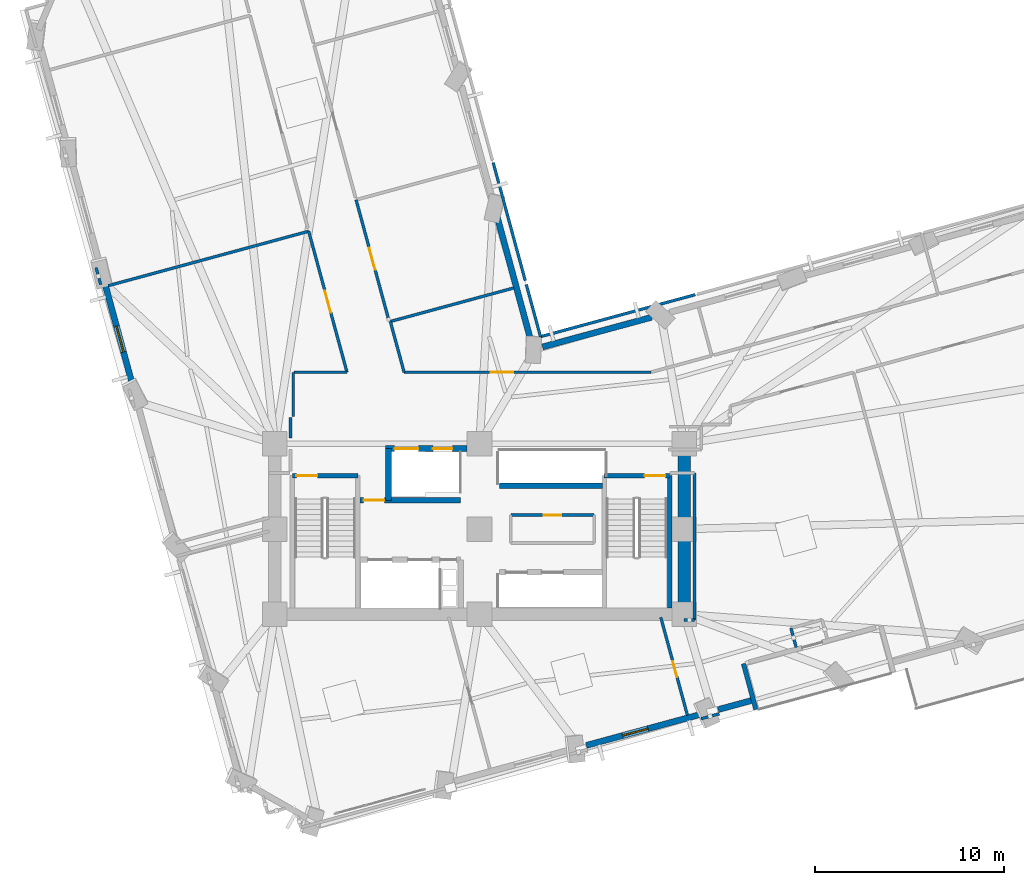
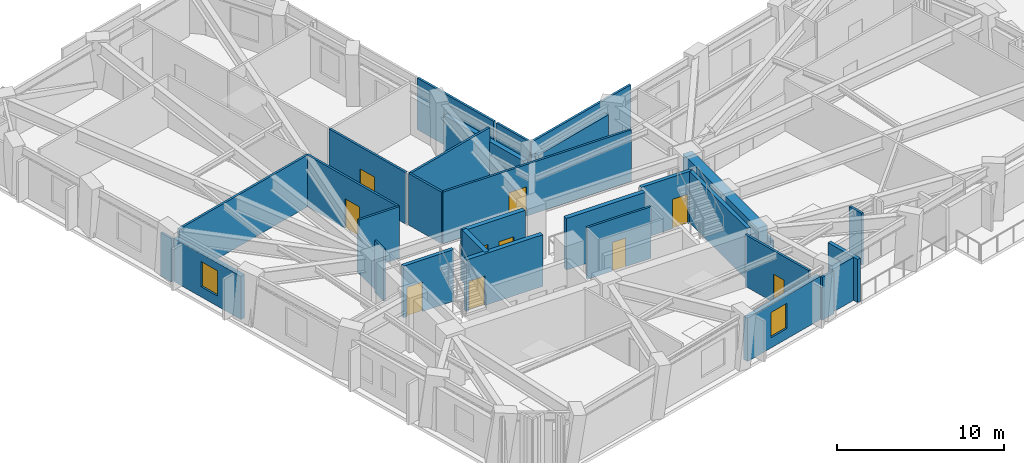
# One storey, part 8 of 15: 33 walls, 10 doors, 2 windows, 12 openings.
"""IFC4 building model written with IfcOpenShell, lengths in metres."""

import ifcopenshell
import ifcopenshell.guid

model = None  # the IFC model being written
_history = None  # IfcOwnerHistory: only IFC2X3 demands one
_inside = {}  # id of a spatial element -> (the spatial element, [elements in it])
_under = {}  # id of a project, library or spatial element -> (it, [spatial elements below it])
_declared = {}  # id of a project -> (the project, [libraries it declares])
_typed = {}  # id of a type object -> (the type object, [elements of that type])
_made_of = {}  # id of a material, layer set ... -> (it, [elements and type objects made of it])


def new_model(schema):
    """Start an empty IFC model of exactly this schema.

    Asked for "IFC4X3", IfcOpenShell would pick the latest addendum, in which some entities
    have other attributes; the version numbers below select the first issue.
    IFC2X3 requires an IfcOwnerHistory on every rooted entity: one is made here for all.
    """
    global model, _history
    if schema == "IFC4X3":
        model = ifcopenshell.file(schema_version=(4, 3, 0, 0))
    else:
        model = ifcopenshell.file(schema=schema)
    _inside.clear()
    _under.clear()
    _declared.clear()
    _typed.clear()
    _made_of.clear()
    _history = None
    if model.schema == "IFC2X3":
        org = make("IfcOrganization", Name="unknown")
        user = make(
            "IfcPersonAndOrganization",
            ThePerson=make("IfcPerson", FamilyName="unknown"),
            TheOrganization=org,
        )
        app = make(
            "IfcApplication",
            ApplicationDeveloper=org,
            Version="unknown",
            ApplicationFullName="unknown",
            ApplicationIdentifier="unknown",
        )
        _history = make(
            "IfcOwnerHistory",
            OwningUser=user,
            OwningApplication=app,
            ChangeAction="ADDED",
            CreationDate=0,
        )
    return model


def make(cls, **values):
    """One entity of the class cls with the attributes given. An attribute that is None is left unset."""
    return model.create_entity(
        cls, **{name: value for name, value in values.items() if value is not None}
    )


def rooted(cls, **values):
    """An entity with a GlobalId (a new one), such as an element, a storey or a relation."""
    return make(cls, GlobalId=ifcopenshell.guid.new(), OwnerHistory=_history, **values)


def si_unit(unit_type, name, prefix=None):
    """IfcSIUnit, for example si_unit("LENGTHUNIT", "METRE", prefix="MILLI")."""
    return make("IfcSIUnit", UnitType=unit_type, Prefix=prefix, Name=name)


def assignment(units):
    """IfcUnitAssignment: the units of a project."""
    return None if units is None else make("IfcUnitAssignment", Units=units)


def point(xyz):
    """IfcCartesianPoint."""
    return None if xyz is None else make("IfcCartesianPoint", Coordinates=xyz)


def direction(xyz):
    """IfcDirection."""
    return None if xyz is None else make("IfcDirection", DirectionRatios=xyz)


def frame(location, z_axis=None, x_axis=None):
    """IfcAxis2Placement3D, a coordinate frame: its origin and axes. An axis left out is left unset."""
    return make(
        "IfcAxis2Placement3D",
        Location=point(location),
        Axis=direction(z_axis),
        RefDirection=direction(x_axis),
    )


def frame_2d(location, x_axis=None):
    """IfcAxis2Placement2D, a coordinate frame in the plane: its origin and x axis."""
    return make(
        "IfcAxis2Placement2D", Location=point(location), RefDirection=direction(x_axis)
    )


def origin():
    """The frame at (0, 0, 0) with its axes left unset."""
    return frame((0.0, 0.0, 0.0))


def place(relative_to, where):
    """IfcLocalPlacement: puts the frame where relative to a parent placement (None: the world)."""
    return make(
        "IfcLocalPlacement", PlacementRelTo=relative_to, RelativePlacement=where
    )


def context(
    kind, dimensions, precision=None, world=None, true_north=None, identifier=None
):
    """IfcGeometricRepresentationContext, for example the 3D "Model" context."""
    return make(
        "IfcGeometricRepresentationContext",
        ContextIdentifier=identifier,
        ContextType=kind,
        CoordinateSpaceDimension=dimensions,
        Precision=precision,
        WorldCoordinateSystem=world,
        TrueNorth=true_north,
    )


def subcontext(parent, identifier, kind, view, scale=None):
    """IfcGeometricRepresentationSubContext, for example "Body" below "Model"."""
    return make(
        "IfcGeometricRepresentationSubContext",
        ContextIdentifier=identifier,
        ContextType=kind,
        ParentContext=parent,
        TargetScale=scale,
        TargetView=view,
    )


def project(units=None, contexts=None):
    """IfcProject with its units and contexts."""
    return rooted(
        "IfcProject",
        Name="project",
        RepresentationContexts=contexts,
        UnitsInContext=assignment(units),
    )


def spatial(cls, under=None, at=None, **own):
    """A site, building, storey or space (cls), placed at a placement, below another one or the project."""
    s = rooted(cls, ObjectPlacement=at, **own)
    if under is not None:
        _under.setdefault(under.id(), (under, []))[1].append(s)
    return s


def profile(cls, at=None, kind="AREA", **sizes):
    """A parametric profile (cls). Its sizes go by their IFC names, for example OverallWidth=200.0."""
    return make(cls, ProfileType=kind, Position=at, **sizes)


def rectangle(**sizes):
    """IfcRectangleProfileDef."""
    return profile("IfcRectangleProfileDef", **sizes)


def extrude(swept, where, along, depth):
    """IfcExtrudedAreaSolid: the profile swept, set in the frame where, extruded along a direction by depth."""
    return make(
        "IfcExtrudedAreaSolid",
        SweptArea=swept,
        Position=where,
        ExtrudedDirection=direction(along),
        Depth=depth,
    )


def shape(context_of_items, identifier, shape_type, items):
    """IfcShapeRepresentation: the items that make up one representation, for example the "Body"."""
    return make(
        "IfcShapeRepresentation",
        ContextOfItems=context_of_items,
        RepresentationIdentifier=identifier,
        RepresentationType=shape_type,
        Items=items,
    )


def material(Name=None, Category=None):
    """IfcMaterial."""
    return make("IfcMaterial", Name=Name, Category=Category)


def layer(
    of_material, thickness, ventilated=None, Name=None, Category=None, Priority=None
):
    """IfcMaterialLayer: one layer of a wall or slab, of a material (None: an air gap)."""
    return make(
        "IfcMaterialLayer",
        Material=of_material,
        LayerThickness=thickness,
        IsVentilated=ventilated,
        Name=Name,
        Category=Category,
        Priority=Priority,
    )


def layer_set(layers, Name=None):
    """IfcMaterialLayerSet."""
    return make("IfcMaterialLayerSet", MaterialLayers=layers, LayerSetName=Name)


def made_of(thing, what):
    """Note that an element or type object is made of a material, layer set ...; save() writes the relation."""
    if what is not None:
        _made_of.setdefault(what.id(), (what, []))[1].append(thing)
    return thing


def type_object(cls, material=None, **own):
    """A type object (cls), such as IfcWallType, which elements share."""
    return made_of(rooted(cls, **own), material)


def element(
    cls,
    number,
    at=None,
    inside=None,
    cuts=None,
    type_object=None,
    material=None,
    context=None,
    identifier="Body",
    shape_type=None,
    held_by="IfcProductDefinitionShape",
    body=None,
    shapes=None,
    **own,
):
    """One element of the class cls, such as IfcWall. Its Tag is "e" and its number.

    at: its placement. inside: the storey or other place that contains it. cuts: it is an
    opening in that element (IfcRelVoidsElement). A single representation is given by context,
    identifier, shape_type and body (its items); several are given by shapes. held_by: the class
    of the entity that holds the representations. save() writes the other relations.
    """
    e = rooted(cls, Tag="e%d" % number, ObjectPlacement=at, **own)
    if body is not None:
        shapes = [shape(context, identifier, shape_type, body)]
    if shapes is not None:
        e.Representation = make(held_by, Representations=shapes)
    if inside is not None:
        _inside.setdefault(inside.id(), (inside, []))[1].append(e)
    if cuts is not None:
        rooted(
            "IfcRelVoidsElement", RelatingBuildingElement=cuts, RelatedOpeningElement=e
        )
    if type_object is not None:
        _typed.setdefault(type_object.id(), (type_object, []))[1].append(e)
    return made_of(e, material)


def fill(opening, filler):
    """IfcRelFillsElement: the door or window that sits in an opening."""
    return rooted(
        "IfcRelFillsElement",
        RelatingOpeningElement=opening,
        RelatedBuildingElement=filler,
    )


def aggregate(whole, parts):
    """IfcRelAggregates: a whole, such as a stair, and the parts it consists of."""
    return rooted("IfcRelAggregates", RelatingObject=whole, RelatedObjects=parts)


def save(model, path):
    """Write the relations noted so far, then the file.

    IfcRelAggregates (storeys below a building ...), IfcRelContainedInSpatialStructure (elements
    in a storey), IfcRelDefinesByType, IfcRelAssociatesMaterial and IfcRelDeclares: one each for
    every whole, place, type object, material and project.
    """
    for whole, parts in _under.values():
        aggregate(whole, parts)
    for where, things in _inside.values():
        rooted(
            "IfcRelContainedInSpatialStructure",
            RelatedElements=things,
            RelatingStructure=where,
        )
    for kind, things in _typed.values():
        rooted("IfcRelDefinesByType", RelatedObjects=things, RelatingType=kind)
    for what, things in _made_of.values():
        rooted("IfcRelAssociatesMaterial", RelatedObjects=things, RelatingMaterial=what)
    for by, libraries in _declared.values():
        rooted("IfcRelDeclares", RelatingContext=by, RelatedDefinitions=libraries)
    model.write(path)


model = new_model("IFC4")

# Units and contexts
model_context = context("Model", 3, precision=1e-05, world=origin(), true_north=direction((0.0, 1.0)))
body_context = subcontext(model_context, "Body", "Model", "MODEL_VIEW")
ifc_project = project(units=[si_unit("LENGTHUNIT", "METRE"), si_unit("AREAUNIT", "SQUARE_METRE"), si_unit("VOLUMEUNIT", "CUBIC_METRE"), si_unit("PLANEANGLEUNIT", "RADIAN"), si_unit("MASSUNIT", "GRAM", prefix="KILO")], contexts=[model_context])

# Site, building, storey
site_placement = place(None, origin())
site = spatial("IfcSite", under=ifc_project, at=site_placement, CompositionType="ELEMENT")
building_placement = place(site_placement, origin())
building = spatial("IfcBuilding", under=site, at=building_placement, Name="Gaonmaruhae Medical Tower", CompositionType="ELEMENT")
storey_placement = place(building_placement, frame((0.0, 0.0, 88.39990234375)))
storey = spatial("IfcBuildingStorey", under=building, at=storey_placement, Name="L20", CompositionType="ELEMENT", Elevation=88.39990234375)

# Walls
ifc_material_1 = material(Name="Concrete C60/75", Category="concrete")
ifc_layer_1 = layer(ifc_material_1, 0.64990234375)
ifc_layer_set_1 = layer_set([ifc_layer_1], Name="Concrete C60/75")
wall_type_1 = type_object("IfcWallType", Name="CW-650 Zone 2 Core Shear Wall", PredefinedType="SHEAR", material=ifc_layer_set_1)
wall_1_placement = place(storey_placement, frame((35.60009765625, 7.800048828125, 0.0), z_axis=(0.0, 0.0, 1.0), x_axis=(0.0, 1.0, 0.0)))
element("IfcWall", 1, at=wall_1_placement, inside=storey, type_object=wall_type_1, Name="L20 Core Shear Wall CSW-E1", PredefinedType="SHEAR", context=body_context, shape_type="SweptSolid", body=[
    extrude(rectangle(XDim=9.0, YDim=0.64990234375, at=frame_2d((4.5, 0.0))), origin(), (0.0, 0.0, 1.0), 3.780029296875),
])
ifc_material_2 = material(Name="Precast concrete C45/55", Category="concrete")
ifc_layer_2 = layer(ifc_material_2, 0.239990234375)
ifc_layer_set_2 = layer_set([ifc_layer_2], Name="Precast concrete C45/55")
wall_type_2 = type_object("IfcWallType", Name="EW-240 Ribbon & Shelter Insulated Precast Wall", PredefinedType="SOLIDWALL", material=ifc_layer_set_2)
wall_2_placement = place(storey_placement, frame((38.7275390625, 5.19873046875, 0.0), z_axis=(0.0, 0.0, 1.0), x_axis=(0.262200093608, -0.965013528875, 0.0)))
element("IfcWall", 2, at=wall_2_placement, inside=storey, type_object=wall_type_2, Name="L20 Recessed Terrace Enclosure Wall TERL", PredefinedType="SOLIDWALL", context=body_context, shape_type="SweptSolid", body=[
    extrude(rectangle(XDim=2.5, YDim=0.239990234375, at=frame_2d((1.25, 0.0))), origin(), (0.0, 0.0, 1.0), 3.1650390625),
])

# Wall, opening, window
ifc_layer_3 = layer(ifc_material_2, 0.320068359375)
ifc_layer_set_3 = layer_set([ifc_layer_3], Name="Precast concrete C45/55")
wall_type_3 = type_object("IfcWallType", Name="EW-320 Lower Precast Masonry-Frame Facade Wall", PredefinedType="SOLIDWALL", material=ifc_layer_set_3)
wall_3_placement = place(storey_placement, frame((36.431396484375, 2.5126953125, 0.0), z_axis=(0.0, 0.0, 1.0), x_axis=(-0.96501271104, -0.26220310359, 0.0)))
wall_3 = element("IfcWall", 3, at=wall_3_placement, inside=storey, type_object=wall_type_3, Name="L20 Precast Masonry-Frame Wall S03-S04", PredefinedType="SOLIDWALL", context=body_context, shape_type="SweptSolid", body=[
    extrude(rectangle(XDim=6.21435546875, YDim=0.320068359375, at=frame_2d((3.107177734375, 0.0))), origin(), (0.0, 0.0, 1.0), 3.1650390625),
])
opening_1_placement = place(wall_3_placement, frame((2.8349609375, 0.0, 0.75)))
opening_1 = element("IfcOpeningElement", 4, at=opening_1_placement, cuts=wall_3, Name="Opening WN-03", PredefinedType="OPENING", context=body_context, shape_type="SweptSolid", body=[
    extrude(rectangle(XDim=1.39990234375, YDim=1.85009765625, at=frame_2d((0.699951171875, 0.925048828125))), frame((0.0, 0.169921875, 0.0), z_axis=(0.0, -1.0, 0.0), x_axis=(1.0, 0.0, 0.0)), (0.0, 0.0, 1.0), 0.340087890625),
])
ifc_material_3 = material(Name="Anodised aluminium and Low-E double glazing", Category="aluminium")
window_type = type_object("IfcWindowType", Name="WN-03 Isolation Ward Punched Window 1400x1850", PartitioningType="SINGLE_PANEL", PredefinedType="WINDOW", material=ifc_material_3)
window_1_placement = place(opening_1_placement, origin())
window_1 = element("IfcWindow", 5, at=window_1_placement, inside=storey, type_object=window_type, Name="L20 Modular Facade Window S03", OverallHeight=1.85009765625, OverallWidth=1.39990234375, PartitioningType="SINGLE_PANEL", PredefinedType="WINDOW", context=body_context, shape_type="SweptSolid", body=[
    extrude(rectangle(XDim=1.39990234375, YDim=1.85009765625, at=frame_2d((0.699951171875, 0.925048828125))), frame((0.0, 0.030029296875, 0.0), z_axis=(0.0, -1.0, 0.0), x_axis=(1.0, 0.0, 0.0)), (0.0, 0.0, 1.0), 0.06005859375),
])
fill(opening_1, window_1)

# Walls
wall_4_placement = place(storey_placement, frame((39.22998046875, 3.273193359375, 0.0), z_axis=(0.0, 0.0, 1.0), x_axis=(-0.965005471211, -0.262229747612, 0.0)))
element("IfcWall", 6, at=wall_4_placement, inside=storey, type_object=wall_type_3, Name="L20 Precast Masonry-Frame Wall S04-S05", PredefinedType="SOLIDWALL", context=body_context, shape_type="SweptSolid", body=[
    extrude(rectangle(XDim=1.90869140625, YDim=0.320068359375, at=frame_2d((0.954345703125, 0.0))), origin(), (0.0, 0.0, 1.0), 3.14501953125),
])
wall_5_placement = place(storey_placement, frame((28.120361328125, 21.912353515625, 0.0), z_axis=(0.0, 0.0, 1.0), x_axis=(0.965022370274, 0.26216755114, 0.0)))
element("IfcWall", 7, at=wall_5_placement, inside=storey, type_object=wall_type_3, Name="L20 Precast Masonry-Frame Wall EN03-KN01", PredefinedType="SOLIDWALL", context=body_context, shape_type="SweptSolid", body=[
    extrude(rectangle(XDim=5.9599609375, YDim=0.320068359375, at=frame_2d((2.97998046875, 0.0))), origin(), (0.0, 0.0, 1.0), 3.1650390625),
])
wall_6_placement = place(storey_placement, frame((25.744873046875, 28.729736328125, 0.0), z_axis=(0.0, 0.0, 1.0), x_axis=(0.262166868699, -0.965022555673, 0.0)))
element("IfcWall", 8, at=wall_6_placement, inside=storey, type_object=wall_type_3, Name="L20 Precast Masonry-Frame Wall KN01-NE01", PredefinedType="SOLIDWALL", context=body_context, shape_type="SweptSolid", body=[
    extrude(rectangle(XDim=6.759765625, YDim=0.320068359375, at=frame_2d((3.3798828125, 0.0))), origin(), (0.0, 0.0, 1.0), 2.76513671875),
])

# Wall, opening, window
wall_7_placement = place(storey_placement, frame((6.52880859375, 19.74365234375, 0.0), z_axis=(0.0, 0.0, 1.0), x_axis=(-0.262197887249, 0.965014128354, 0.0)))
wall_7 = element("IfcWall", 9, at=wall_7_placement, inside=storey, type_object=wall_type_3, Name="L20 Precast Masonry-Frame Wall W03-W04", PredefinedType="SOLIDWALL", context=body_context, shape_type="SweptSolid", body=[
    extrude(rectangle(XDim=5.662109375, YDim=0.320068359375, at=frame_2d((2.8310546875, 0.0))), origin(), (0.0, 0.0, 1.0), 3.1650390625),
])
opening_2_placement = place(wall_7_placement, frame((1.973388671875, 0.0, 0.75)))
opening_2 = element("IfcOpeningElement", 10, at=opening_2_placement, cuts=wall_7, Name="Opening WN-03", PredefinedType="OPENING", context=body_context, shape_type="SweptSolid", body=[
    extrude(rectangle(XDim=1.39990234375, YDim=1.85009765625, at=frame_2d((0.699951171875, 0.925048828125))), frame((0.0, 0.169921875, 0.0), z_axis=(0.0, -1.0, 0.0), x_axis=(1.0, 0.0, 0.0)), (0.0, 0.0, 1.0), 0.340087890625),
])
window_2_placement = place(opening_2_placement, origin())
window_2 = element("IfcWindow", 11, at=window_2_placement, inside=storey, type_object=window_type, Name="L20 Modular Facade Window W03", OverallHeight=1.85009765625, OverallWidth=1.39990234375, PartitioningType="SINGLE_PANEL", PredefinedType="WINDOW", context=body_context, shape_type="SweptSolid", body=[
    extrude(rectangle(XDim=1.39990234375, YDim=1.85009765625, at=frame_2d((0.699951171875, 0.925048828125))), frame((0.0, 0.030029296875, 0.0), z_axis=(0.0, -1.0, 0.0), x_axis=(1.0, 0.0, 0.0)), (0.0, 0.0, 1.0), 0.06005859375),
])
fill(opening_2, window_2)

# Wall, opening, door
ifc_material_4 = material(Name="Gypsum board partition", Category="gypsum")
ifc_layer_4 = layer(ifc_material_4, 0.14990234375)
ifc_layer_set_4 = layer_set([ifc_layer_4], Name="Gypsum board partition")
wall_type_4 = type_object("IfcWallType", Name="PW-150 Rated Clinical Corridor Partition", PredefinedType="PARTITIONING", material=ifc_layer_set_4)
wall_8_placement = place(storey_placement, frame((26.449951171875, 13.0400390625, 0.0), z_axis=(0.0, 0.0, 1.0), x_axis=(1.0, 0.0, 0.0)))
wall_8 = element("IfcWall", 12, at=wall_8_placement, inside=storey, type_object=wall_type_4, Name="L20 Interior Partition L20-CS1-2", PredefinedType="PARTITIONING", context=body_context, shape_type="SweptSolid", body=[
    extrude(rectangle(XDim=4.400146484375, YDim=0.14990234375, at=frame_2d((2.2001953125, 0.0))), origin(), (0.0, 0.0, 1.0), 3.780029296875),
])
opening_3_placement = place(wall_8_placement, frame((1.739990234375, 0.0, 0.0)))
opening_3 = element("IfcOpeningElement", 13, at=opening_3_placement, cuts=wall_8, Name="Opening UD-01", PredefinedType="OPENING", context=body_context, shape_type="SweptSolid", body=[
    extrude(rectangle(XDim=0.919921875, YDim=2.10009765625, at=frame_2d((0.4599609375, 1.050048828125))), frame((0.0, 0.0849609375, 0.0), z_axis=(0.0, -1.0, 0.0), x_axis=(1.0, 0.0, 0.0)), (0.0, 0.0, 1.0), 0.169921875),
])
ifc_material_5 = material(Name="Powder-coated steel utility door", Category="steel")
door_type_1 = type_object("IfcDoorType", Name="UD-01 Toilet, Utility & Housekeeping Door 920x2100", OperationType="NOTDEFINED", PredefinedType="DOOR", material=ifc_material_5)
door_1_placement = place(opening_3_placement, origin())
door_1 = element("IfcDoor", 14, at=door_1_placement, inside=storey, type_object=door_type_1, Name="L20 Clean Linen Utility Store Door", OperationType="SINGLE_SWING_RIGHT", OverallHeight=2.10009765625, OverallWidth=0.919921875, PredefinedType="DOOR", context=body_context, shape_type="SweptSolid", body=[
    extrude(rectangle(XDim=0.919921875, YDim=2.10009765625, at=frame_2d((0.4599609375, 1.050048828125))), frame((0.0, 0.02490234375, 0.0), z_axis=(0.0, -1.0, 0.0), x_axis=(1.0, 0.0, 0.0)), (0.0, 0.0, 1.0), 0.050048828125),
])
fill(opening_3, door_1)

wall_9_placement = place(storey_placement, frame((34.364013671875, 7.64599609375, 0.0), z_axis=(0.0, 0.0, 1.0), x_axis=(0.262277228578, -0.96499256752, 0.0)))
wall_9 = element("IfcWall", 15, at=wall_9_placement, inside=storey, type_object=wall_type_4, Name="L20 Interior Partition L20-SUP02-15", PredefinedType="PARTITIONING", context=body_context, shape_type="SweptSolid", body=[
    extrude(rectangle(XDim=5.36083984375, YDim=0.14990234375, at=frame_2d((2.680419921875, 0.0))), origin(), (0.0, 0.0, 1.0), 3.780029296875),
])
opening_4_placement = place(wall_9_placement, frame((2.405517578125, 0.0, 0.0)))
opening_4 = element("IfcOpeningElement", 16, at=opening_4_placement, cuts=wall_9, Name="Opening AD-01", PredefinedType="OPENING", context=body_context, shape_type="SweptSolid", body=[
    extrude(rectangle(XDim=0.860107421875, YDim=2.06005859375, at=frame_2d((0.43017578125, 1.030029296875))), frame((0.0, 0.0849609375, 0.0), z_axis=(0.0, -1.0, 0.0), x_axis=(1.0, 0.0, 0.0)), (0.0, 0.0, 1.0), 0.169921875),
])
ifc_material_6 = material(Name="Powder-coated steel access door", Category="steel")
door_type_2 = type_object("IfcDoorType", Name="AD-01 Riser & Closet Access Fire Door 860x2060", OperationType="NOTDEFINED", PredefinedType="DOOR", material=ifc_material_6)
door_2_placement = place(opening_4_placement, origin())
door_2 = element("IfcDoor", 17, at=door_2_placement, inside=storey, type_object=door_type_2, Name="L20 Clinical Biomedical Charting Office Sliding Door", OperationType="SLIDING_TO_LEFT", OverallHeight=2.06005859375, OverallWidth=0.860107421875, PredefinedType="DOOR", context=body_context, shape_type="SweptSolid", body=[
    extrude(rectangle(XDim=0.860107421875, YDim=2.06005859375, at=frame_2d((0.43017578125, 1.030029296875))), frame((0.0, 0.02490234375, 0.0), z_axis=(0.0, -1.0, 0.0), x_axis=(1.0, 0.0, 0.0)), (0.0, 0.0, 1.0), 0.050048828125),
])
fill(opening_4, door_2)

# Walls
wall_10_placement = place(storey_placement, frame((37.448974609375, 2.551025390625, 0.0), z_axis=(0.0, 0.0, 1.0), x_axis=(-0.965019012576, -0.262179910304, 0.0)))
element("IfcWall", 18, at=wall_10_placement, inside=storey, type_object=wall_type_4, Name="L20 Interior Partition L20-SUP03-16", PredefinedType="PARTITIONING", context=body_context, shape_type="SweptSolid", body=[
    extrude(rectangle(XDim=0.99169921875, YDim=0.14990234375, at=frame_2d((0.495849609375, 0.0))), origin(), (0.0, 0.0, 1.0), 3.14501953125),
])
wall_11_placement = place(storey_placement, frame((35.60009765625, 7.5, 0.0), z_axis=(0.0, 0.0, 1.0), x_axis=(1.0, 0.0, 0.0)))
element("IfcWall", 19, at=wall_11_placement, inside=storey, type_object=wall_type_4, Name="L20 Interior Partition L20-SUP03-17", PredefinedType="PARTITIONING", context=body_context, shape_type="SweptSolid", body=[
    extrude(rectangle(XDim=0.5498046875, YDim=0.14990234375, at=frame_2d((0.27490234375, 0.0))), origin(), (0.0, 0.0, 1.0), 2.7451171875),
])
wall_12_placement = place(storey_placement, frame((36.14990234375, 7.5, 0.0), z_axis=(0.0, 0.0, 1.0), x_axis=(0.0, 1.0, 0.0)))
element("IfcWall", 20, at=wall_12_placement, inside=storey, type_object=wall_type_4, Name="L20 Interior Partition L20-SUP03-18", PredefinedType="PARTITIONING", context=body_context, shape_type="SweptSolid", body=[
    extrude(rectangle(XDim=7.760009765625, YDim=0.14990234375, at=frame_2d((3.8798828125, 0.0))), origin(), (0.0, 0.0, 1.0), 2.76513671875),
])
wall_13_placement = place(storey_placement, frame((41.23388671875, 7.071044921875, 0.0), z_axis=(0.0, 0.0, 1.0), x_axis=(0.262627892629, -0.964897191422, 0.0)))
element("IfcWall", 21, at=wall_13_placement, inside=storey, type_object=wall_type_4, Name="L20 Interior Partition L20-SUP03-29", PredefinedType="PARTITIONING", context=body_context, shape_type="SweptSolid", body=[
    extrude(rectangle(XDim=1.05517578125, YDim=0.14990234375, at=frame_2d((0.527587890625, 0.0))), origin(), (0.0, 0.0, 1.0), 3.780029296875),
])
wall_14_placement = place(storey_placement, frame((14.969970703125, 20.550048828125, 0.0), z_axis=(0.0, 0.0, 1.0), x_axis=(0.0, -1.0, 0.0)))
element("IfcWall", 22, at=wall_14_placement, inside=storey, type_object=wall_type_4, Name="L20 Interior Partition L20-WOF05-35", PredefinedType="PARTITIONING", context=body_context, shape_type="SweptSolid", body=[
    extrude(rectangle(XDim=2.320068359375, YDim=0.14990234375, at=frame_2d((1.16015625, 0.0))), origin(), (0.0, 0.0, 1.0), 2.76513671875),
])
wall_15_placement = place(storey_placement, frame((14.820068359375, 18.199951171875, 0.0), z_axis=(0.0, 0.0, 1.0), x_axis=(0.0, -1.0, 0.0)))
element("IfcWall", 23, at=wall_15_placement, inside=storey, type_object=wall_type_4, Name="L20 Interior Partition L20-WOF05-36", PredefinedType="PARTITIONING", context=body_context, shape_type="SweptSolid", body=[
    extrude(rectangle(XDim=1.091064453125, YDim=0.14990234375, at=frame_2d((0.54541015625, 0.0))), origin(), (0.0, 0.0, 1.0), 3.780029296875),
])
wall_16_placement = place(storey_placement, frame((5.201904296875, 25.14208984375, 0.0), z_axis=(0.0, 0.0, 1.0), x_axis=(0.965034618354, 0.262122462558, 0.0)))
element("IfcWall", 24, at=wall_16_placement, inside=storey, type_object=wall_type_4, Name="L20 Interior Partition L20-WOF05-41", PredefinedType="PARTITIONING", context=body_context, shape_type="SweptSolid", body=[
    extrude(rectangle(XDim=10.96435546875, YDim=0.14990234375, at=frame_2d((5.482177734375, 0.0))), origin(), (0.0, 0.0, 1.0), 3.780029296875),
])

# Wall, opening, door
wall_17_placement = place(storey_placement, frame((15.782958984375, 28.01611328125, 0.0), z_axis=(0.0, 0.0, 1.0), x_axis=(0.26227015523, -0.964994489972, 0.0)))
wall_17 = element("IfcWall", 25, at=wall_17_placement, inside=storey, type_object=wall_type_4, Name="L20 Interior Partition L20-WOF05-42", PredefinedType="PARTITIONING", context=body_context, shape_type="SweptSolid", body=[
    extrude(rectangle(XDim=7.705810546875, YDim=0.14990234375, at=frame_2d((3.85302734375, 0.0))), origin(), (0.0, 0.0, 1.0), 3.780029296875),
])
opening_5_placement = place(wall_17_placement, frame((3.2529296875, 0.0, 0.0)))
opening_5 = element("IfcOpeningElement", 26, at=opening_5_placement, cuts=wall_17, Name="Opening CD-02", PredefinedType="OPENING", context=body_context, shape_type="SweptSolid", body=[
    extrude(rectangle(XDim=1.199951171875, YDim=2.14990234375, at=frame_2d((0.60009765625, 1.074951171875))), frame((0.0, 0.0849609375, 0.0), z_axis=(0.0, -1.0, 0.0), x_axis=(1.0, 0.0, 0.0)), (0.0, 0.0, 1.0), 0.169921875),
])
ifc_material_7 = material(Name="Antimicrobial laminate timber fire door", Category="wood")
door_type_3 = type_object("IfcDoorType", Name="CD-02 Clinical Treatment & Procedure Door 1200x2150", OperationType="NOTDEFINED", PredefinedType="DOOR", material=ifc_material_7)
door_3_placement = place(opening_5_placement, origin())
door_3 = element("IfcDoor", 27, at=door_3_placement, inside=storey, type_object=door_type_3, Name="L20 Ward Physician Reporting Office Door", OperationType="SINGLE_SWING_LEFT", OverallHeight=2.14990234375, OverallWidth=1.199951171875, PredefinedType="DOOR", context=body_context, shape_type="SweptSolid", body=[
    extrude(rectangle(XDim=1.199951171875, YDim=2.14990234375, at=frame_2d((0.60009765625, 1.074951171875))), frame((0.0, 0.02490234375, 0.0), z_axis=(0.0, -1.0, 0.0), x_axis=(1.0, 0.0, 0.0)), (0.0, 0.0, 1.0), 0.050048828125),
])
fill(opening_5, door_3)

# Walls
wall_18_placement = place(storey_placement, frame((17.803955078125, 20.580078125, 0.0), z_axis=(0.0, 0.0, 1.0), x_axis=(-1.0, 0.0, 0.0)))
element("IfcWall", 28, at=wall_18_placement, inside=storey, type_object=wall_type_4, Name="L20 Interior Partition L20-WOF05-43", PredefinedType="PARTITIONING", context=body_context, shape_type="SweptSolid", body=[
    extrude(rectangle(XDim=2.806884765625, YDim=0.14990234375, at=frame_2d((1.4033203125, 0.0))), origin(), (0.0, 0.0, 1.0), 3.780029296875),
])
wall_19_placement = place(storey_placement, frame((4.80810546875, 25.199951171875, 0.0), z_axis=(0.0, 0.0, 1.0), x_axis=(-0.261915642478, 0.965090770977, 0.0)))
element("IfcWall", 29, at=wall_19_placement, inside=storey, type_object=wall_type_4, Name="L20 Interior Partition L20-WOF06-46", PredefinedType="PARTITIONING", context=body_context, shape_type="SweptSolid", body=[
    extrude(rectangle(XDim=0.928466796875, YDim=0.14990234375, at=frame_2d((0.46435546875, 0.0))), origin(), (0.0, 0.0, 1.0), 3.1650390625),
])

# Wall, opening, door
wall_20_placement = place(storey_placement, frame((33.85791015625, 20.580078125, 0.0), z_axis=(0.0, 0.0, 1.0), x_axis=(-1.0, 0.0, 0.0)))
wall_20 = element("IfcWall", 30, at=wall_20_placement, inside=storey, type_object=wall_type_4, Name="L20 Interior Partition L20-IE01-58", PredefinedType="PARTITIONING", context=body_context, shape_type="SweptSolid", body=[
    extrude(rectangle(XDim=13.038818359375, YDim=0.14990234375, at=frame_2d((6.51953125, 0.0))), origin(), (0.0, 0.0, 1.0), 3.780029296875),
])
opening_6_placement = place(wall_20_placement, frame((7.27294921875, 0.0, 0.0)))
opening_6 = element("IfcOpeningElement", 31, at=opening_6_placement, cuts=wall_20, Name="Opening CD-02", PredefinedType="OPENING", context=body_context, shape_type="SweptSolid", body=[
    extrude(rectangle(XDim=1.199951171875, YDim=2.14990234375, at=frame_2d((0.60009765625, 1.074951171875))), frame((0.0, 0.0849609375, 0.0), z_axis=(0.0, -1.0, 0.0), x_axis=(1.0, 0.0, 0.0)), (0.0, 0.0, 1.0), 0.169921875),
])
door_4_placement = place(opening_6_placement, origin())
door_4 = element("IfcDoor", 32, at=door_4_placement, inside=storey, type_object=door_type_3, Name="L20 Central Clinical Nurse Station Door", OperationType="SINGLE_SWING_RIGHT", OverallHeight=2.14990234375, OverallWidth=1.199951171875, PredefinedType="DOOR", context=body_context, shape_type="SweptSolid", body=[
    extrude(rectangle(XDim=1.199951171875, YDim=2.14990234375, at=frame_2d((0.60009765625, 1.074951171875))), frame((0.0, 0.02490234375, 0.0), z_axis=(0.0, -1.0, 0.0), x_axis=(1.0, 0.0, 0.0)), (0.0, 0.0, 1.0), 0.050048828125),
])
fill(opening_6, door_4)

# Walls
wall_21_placement = place(storey_placement, frame((20.819091796875, 20.580078125, 0.0), z_axis=(0.0, 0.0, 1.0), x_axis=(-0.262058493621, 0.965051991305, 0.0)))
element("IfcWall", 33, at=wall_21_placement, inside=storey, type_object=wall_type_4, Name="L20 Interior Partition L20-IE01-59", PredefinedType="PARTITIONING", context=body_context, shape_type="SweptSolid", body=[
    extrude(rectangle(XDim=2.770751953125, YDim=0.14990234375, at=frame_2d((1.38525390625, 0.0))), origin(), (0.0, 0.0, 1.0), 3.780029296875),
])
wall_22_placement = place(storey_placement, frame((20.093017578125, 23.25390625, 0.0), z_axis=(0.0, 0.0, 1.0), x_axis=(0.965013623276, 0.26219974617, 0.0)))
element("IfcWall", 34, at=wall_22_placement, inside=storey, type_object=wall_type_4, Name="L20 Interior Partition L20-IE01-60", PredefinedType="PARTITIONING", context=body_context, shape_type="SweptSolid", body=[
    extrude(rectangle(XDim=6.75439453125, YDim=0.14990234375, at=frame_2d((3.377197265625, 0.0))), origin(), (0.0, 0.0, 1.0), 3.780029296875),
])
wall_23_placement = place(storey_placement, frame((27.27197265625, 25.205078125, 0.0), z_axis=(0.0, 0.0, 1.0), x_axis=(0.262479468872, -0.964937577474, 0.0)))
element("IfcWall", 35, at=wall_23_placement, inside=storey, type_object=wall_type_4, Name="L20 Interior Partition L20-IE01-61", PredefinedType="PARTITIONING", context=body_context, shape_type="SweptSolid", body=[
    extrude(rectangle(XDim=2.849853515625, YDim=0.14990234375, at=frame_2d((1.4248046875, 0.0))), origin(), (0.0, 0.0, 1.0), 3.780029296875),
])
wall_24_placement = place(storey_placement, frame((28.02001953125, 22.455078125, 0.0), z_axis=(0.0, 0.0, 1.0), x_axis=(0.965015238814, 0.262193800188, 0.0)))
element("IfcWall", 36, at=wall_24_placement, inside=storey, type_object=wall_type_4, Name="L20 Interior Partition L20-IE01-62", PredefinedType="PARTITIONING", context=body_context, shape_type="SweptSolid", body=[
    extrude(rectangle(XDim=8.455810546875, YDim=0.14990234375, at=frame_2d((4.22802734375, 0.0))), origin(), (0.0, 0.0, 1.0), 3.780029296875),
])

# Wall, opening, door
wall_25_placement = place(storey_placement, frame((19.97998046875, 23.44091796875, 0.0), z_axis=(0.0, 0.0, 1.0), x_axis=(-0.262234720493, 0.965004119871, 0.0)))
wall_25 = element("IfcWall", 37, at=wall_25_placement, inside=storey, type_object=wall_type_4, Name="L20 Interior Partition L20-IN01-72", PredefinedType="PARTITIONING", context=body_context, shape_type="SweptSolid", body=[
    extrude(rectangle(XDim=6.460205078125, YDim=0.14990234375, at=frame_2d((3.22998046875, 0.0))), origin(), (0.0, 0.0, 1.0), 3.780029296875),
])
opening_7_placement = place(wall_25_placement, frame((2.6298828125, 0.0, 0.0)))
opening_7 = element("IfcOpeningElement", 38, at=opening_7_placement, cuts=wall_25, Name="Opening CD-02", PredefinedType="OPENING", context=body_context, shape_type="SweptSolid", body=[
    extrude(rectangle(XDim=1.199951171875, YDim=2.14990234375, at=frame_2d((0.60009765625, 1.074951171875))), frame((0.0, 0.0849609375, 0.0), z_axis=(0.0, -1.0, 0.0), x_axis=(1.0, 0.0, 0.0)), (0.0, 0.0, 1.0), 0.169921875),
])
door_5_placement = place(opening_7_placement, origin())
door_5 = element("IfcDoor", 39, at=door_5_placement, inside=storey, type_object=door_type_3, Name="L20 Physician Consultation Office Door", OperationType="SINGLE_SWING_LEFT", OverallHeight=2.14990234375, OverallWidth=1.199951171875, PredefinedType="DOOR", context=body_context, shape_type="SweptSolid", body=[
    extrude(rectangle(XDim=1.199951171875, YDim=2.14990234375, at=frame_2d((0.60009765625, 1.074951171875))), frame((0.0, 0.02490234375, 0.0), z_axis=(0.0, -1.0, 0.0), x_axis=(1.0, 0.0, 0.0)), (0.0, 0.0, 1.0), 0.050048828125),
])
fill(opening_7, door_5)

# Wall
wall_26_placement = place(storey_placement, frame((25.52392578125, 31.64208984375, 0.0), z_axis=(0.0, 0.0, 1.0), x_axis=(0.262093941631, -0.965042364749, 0.0)))
element("IfcWall", 40, at=wall_26_placement, inside=storey, type_object=wall_type_4, Name="L20 Interior Partition L20-IN01-74", PredefinedType="PARTITIONING", context=body_context, shape_type="SweptSolid", body=[
    extrude(rectangle(XDim=6.4599609375, YDim=0.14990234375, at=frame_2d((3.22998046875, 0.0))), origin(), (0.0, 0.0, 1.0), 3.780029296875),
])

# Wall, opening, door
ifc_material_8 = material(Name="Concrete C50/60", Category="concrete")
ifc_layer_5 = layer(ifc_material_8, 0.239990234375)
ifc_layer_set_5 = layer_set([ifc_layer_5], Name="Concrete C50/60")
wall_type_5 = type_object("IfcWallType", Name="SW-240 Dogleg Stair Tight Shaft Wall", PredefinedType="SOLIDWALL", material=ifc_layer_set_5)
wall_27_placement = place(storey_placement, frame((14.919921875, 15.1201171875, 0.0), z_axis=(0.0, 0.0, 1.0), x_axis=(1.0, 0.0, 0.0)))
wall_27 = element("IfcWall", 41, at=wall_27_placement, inside=storey, type_object=wall_type_5, Name="L20 ST-01 Stair Shaft Wall SHW-ST-01-N", PredefinedType="SOLIDWALL", context=body_context, shape_type="SweptSolid", body=[
    extrude(rectangle(XDim=3.4599609375, YDim=0.239990234375, at=frame_2d((1.72998046875, 0.0))), origin(), (0.0, 0.0, 1.0), 3.780029296875),
])
opening_8_placement = place(wall_27_placement, frame((0.219970703125, 0.0, 0.0)))
opening_8 = element("IfcOpeningElement", 42, at=opening_8_placement, cuts=wall_27, Name="Opening FD-01", PredefinedType="OPENING", context=body_context, shape_type="SweptSolid", body=[
    extrude(rectangle(XDim=1.10009765625, YDim=2.14990234375, at=frame_2d((0.550048828125, 1.074951171875))), frame((0.0, 0.1298828125, 0.0), z_axis=(0.0, -1.0, 0.0), x_axis=(1.0, 0.0, 0.0)), (0.0, 0.0, 1.0), 0.260009765625),
])
ifc_material_9 = material(Name="Powder-coated steel fire door", Category="steel")
door_type_4 = type_object("IfcDoorType", Name="FD-01 Escape Stair Protected Fire Door 1100x2150", OperationType="NOTDEFINED", PredefinedType="DOOR", material=ifc_material_9)
door_6_placement = place(opening_8_placement, origin())
door_6 = element("IfcDoor", 43, at=door_6_placement, inside=storey, type_object=door_type_4, Name="L20 ST-01 Protected Escape Stair Door", OperationType="SINGLE_SWING_RIGHT", OverallHeight=2.14990234375, OverallWidth=1.10009765625, PredefinedType="DOOR", context=body_context, shape_type="SweptSolid", body=[
    extrude(rectangle(XDim=1.10009765625, YDim=2.14990234375, at=frame_2d((0.550048828125, 1.074951171875))), frame((0.0, 0.02490234375, 0.0), z_axis=(0.0, -1.0, 0.0), x_axis=(1.0, 0.0, 0.0)), (0.0, 0.0, 1.0), 0.050048828125),
])
fill(opening_8, door_6)

wall_28_placement = place(storey_placement, frame((31.3701171875, 15.1201171875, 0.0), z_axis=(0.0, 0.0, 1.0), x_axis=(1.0, 0.0, 0.0)))
wall_28 = element("IfcWall", 44, at=wall_28_placement, inside=storey, type_object=wall_type_5, Name="L20 ST-02 Stair Shaft Wall SHW-ST-02-N", PredefinedType="SOLIDWALL", context=body_context, shape_type="SweptSolid", body=[
    extrude(rectangle(XDim=3.4599609375, YDim=0.239990234375, at=frame_2d((1.72998046875, 0.0))), origin(), (0.0, 0.0, 1.0), 3.780029296875),
])
opening_9_placement = place(wall_28_placement, frame((2.139892578125, 0.0, 0.0)))
opening_9 = element("IfcOpeningElement", 45, at=opening_9_placement, cuts=wall_28, Name="Opening FD-01", PredefinedType="OPENING", context=body_context, shape_type="SweptSolid", body=[
    extrude(rectangle(XDim=1.10009765625, YDim=2.14990234375, at=frame_2d((0.550048828125, 1.074951171875))), frame((0.0, 0.1298828125, 0.0), z_axis=(0.0, -1.0, 0.0), x_axis=(1.0, 0.0, 0.0)), (0.0, 0.0, 1.0), 0.260009765625),
])
door_7_placement = place(opening_9_placement, origin())
door_7 = element("IfcDoor", 46, at=door_7_placement, inside=storey, type_object=door_type_4, Name="L20 ST-02 Protected Escape Stair Door", OperationType="SINGLE_SWING_LEFT", OverallHeight=2.14990234375, OverallWidth=1.10009765625, PredefinedType="DOOR", context=body_context, shape_type="SweptSolid", body=[
    extrude(rectangle(XDim=1.10009765625, YDim=2.14990234375, at=frame_2d((0.550048828125, 1.074951171875))), frame((0.0, 0.02490234375, 0.0), z_axis=(0.0, -1.0, 0.0), x_axis=(1.0, 0.0, 0.0)), (0.0, 0.0, 1.0), 0.050048828125),
])
fill(opening_9, door_7)

# Wall
wall_29_placement = place(storey_placement, frame((34.830078125, 15.1201171875, 0.0), z_axis=(0.0, 0.0, 1.0), x_axis=(0.0, -1.0, 0.0)))
element("IfcWall", 47, at=wall_29_placement, inside=storey, type_object=wall_type_5, Name="L20 ST-02 Stair Shaft Wall SHW-ST-02-E", PredefinedType="SOLIDWALL", context=body_context, shape_type="SweptSolid", body=[
    extrude(rectangle(XDim=6.9951171875, YDim=0.239990234375, at=frame_2d((3.49755859375, 0.0))), origin(), (0.0, 0.0, 1.0), 3.780029296875),
])

# Wall, openings, doors
ifc_layer_6 = layer(ifc_material_8, 0.300048828125)
ifc_layer_set_6 = layer_set([ifc_layer_6], Name="Concrete C50/60")
wall_type_6 = type_object("IfcWallType", Name="SW-300 Stair & Lift Hoistway Shaft Wall", PredefinedType="SOLIDWALL", material=ifc_layer_set_6)
wall_30_placement = place(storey_placement, frame((19.85009765625, 16.550048828125, 0.0), z_axis=(0.0, 0.0, 1.0), x_axis=(1.0, 0.0, 0.0)))
wall_30 = element("IfcWall", 48, at=wall_30_placement, inside=storey, type_object=wall_type_6, Name="L20 Core Shear Wall CSW-NB", PredefinedType="SOLIDWALL", context=body_context, shape_type="SweptSolid", body=[
    extrude(rectangle(XDim=4.2998046875, YDim=0.300048828125, at=frame_2d((2.14990234375, 0.0))), origin(), (0.0, 0.0, 1.0), 3.780029296875),
])
opening_10_placement = place(wall_30_placement, frame((0.47509765625, 0.0, 0.0)))
opening_10 = element("IfcOpeningElement", 49, at=opening_10_placement, cuts=wall_30, Name="Opening LD-F1", PredefinedType="OPENING", context=body_context, shape_type="SweptSolid", body=[
    extrude(rectangle(XDim=1.25, YDim=2.179931640625, at=frame_2d((0.625, 1.08984375))), frame((0.0, 0.16015625, 0.0), z_axis=(0.0, -1.0, 0.0), x_axis=(1.0, 0.0, 0.0)), (0.0, 0.0, 1.0), 0.320068359375),
])
opening_11_placement = place(wall_30_placement, frame((2.489990234375, 0.0, 0.0)))
opening_11 = element("IfcOpeningElement", 50, at=opening_11_placement, cuts=wall_30, Name="Opening LD-S1", PredefinedType="OPENING", context=body_context, shape_type="SweptSolid", body=[
    extrude(rectangle(XDim=1.02001953125, YDim=2.1201171875, at=frame_2d((0.510009765625, 1.06005859375))), frame((0.0, 0.16015625, 0.0), z_axis=(0.0, -1.0, 0.0), x_axis=(1.0, 0.0, 0.0)), (0.0, 0.0, 1.0), 0.320068359375),
])
ifc_material_10 = material(Name="Brushed stainless steel 316L landing door", Category="steel")
door_type_5 = type_object("IfcDoorType", Name="LD-F1 Firefighting & Bed Lift Sliding Landing Door 1250x2180", OperationType="NOTDEFINED", PredefinedType="DOOR", material=ifc_material_10)
door_8_placement = place(opening_10_placement, origin())
door_8 = element("IfcDoor", 51, at=door_8_placement, inside=storey, type_object=door_type_5, Name="L20 Service/Bed Lift Landing Door BDL-01", OperationType="DOUBLE_DOOR_SLIDING", OverallHeight=2.179931640625, OverallWidth=1.25, PredefinedType="DOOR", context=body_context, shape_type="SweptSolid", body=[
    extrude(rectangle(XDim=1.25, YDim=2.179931640625, at=frame_2d((0.625, 1.08984375))), frame((0.0, 0.02490234375, 0.0), z_axis=(0.0, -1.0, 0.0), x_axis=(1.0, 0.0, 0.0)), (0.0, 0.0, 1.0), 0.050048828125),
])
fill(opening_10, door_8)
ifc_material_11 = material(Name="Brushed stainless steel 304 landing door", Category="steel")
door_type_6 = type_object("IfcDoorType", Name="LD-S1 Service Lift Sliding Landing Door 1020x2120", OperationType="NOTDEFINED", PredefinedType="DOOR", material=ifc_material_11)
door_9_placement = place(opening_11_placement, origin())
door_9 = element("IfcDoor", 52, at=door_9_placement, inside=storey, type_object=door_type_6, Name="L20 Service/Bed Lift Landing Door SVL-01", OperationType="SLIDING_TO_LEFT", OverallHeight=2.1201171875, OverallWidth=1.02001953125, PredefinedType="DOOR", context=body_context, shape_type="SweptSolid", body=[
    extrude(rectangle(XDim=1.02001953125, YDim=2.1201171875, at=frame_2d((0.510009765625, 1.06005859375))), frame((0.0, 0.02490234375, 0.0), z_axis=(0.0, -1.0, 0.0), x_axis=(1.0, 0.0, 0.0)), (0.0, 0.0, 1.0), 0.050048828125),
])
fill(opening_11, door_9)

# Wall, opening, door
wall_31_placement = place(storey_placement, frame((18.5, 13.820068359375, 0.0), z_axis=(0.0, 0.0, 1.0), x_axis=(1.0, 0.0, 0.0)))
wall_31 = element("IfcWall", 53, at=wall_31_placement, inside=storey, type_object=wall_type_6, Name="L20 Shaft Enclosure Wall SHW-FFL", PredefinedType="SOLIDWALL", context=body_context, shape_type="SweptSolid", body=[
    extrude(rectangle(XDim=5.300048828125, YDim=0.300048828125, at=frame_2d((2.64990234375, 0.0))), origin(), (0.0, 0.0, 1.0), 3.780029296875),
])
opening_12_placement = place(wall_31_placement, frame((0.179931640625, 0.0, 0.0)))
opening_12 = element("IfcOpeningElement", 54, at=opening_12_placement, cuts=wall_31, Name="Opening FD-01", PredefinedType="OPENING", context=body_context, shape_type="SweptSolid", body=[
    extrude(rectangle(XDim=1.10009765625, YDim=2.14990234375, at=frame_2d((0.550048828125, 1.074951171875))), frame((0.0, 0.16015625, 0.0), z_axis=(0.0, -1.0, 0.0), x_axis=(1.0, 0.0, 0.0)), (0.0, 0.0, 1.0), 0.320068359375),
])
door_10_placement = place(opening_12_placement, origin())
door_10 = element("IfcDoor", 55, at=door_10_placement, inside=storey, type_object=door_type_4, Name="L20 Firefighting Lobby Smoke Door", OperationType="SINGLE_SWING_LEFT", OverallHeight=2.14990234375, OverallWidth=1.10009765625, PredefinedType="DOOR", context=body_context, shape_type="SweptSolid", body=[
    extrude(rectangle(XDim=1.10009765625, YDim=2.14990234375, at=frame_2d((0.550048828125, 1.074951171875))), frame((0.0, 0.02490234375, 0.0), z_axis=(0.0, -1.0, 0.0), x_axis=(1.0, 0.0, 0.0)), (0.0, 0.0, 1.0), 0.050048828125),
])
fill(opening_12, door_10)

# Walls
wall_32_placement = place(storey_placement, frame((20.0, 13.820068359375, 0.0), z_axis=(0.0, 0.0, 1.0), x_axis=(0.0, 1.0, 0.0)))
element("IfcWall", 56, at=wall_32_placement, inside=storey, type_object=wall_type_6, Name="L20 Shaft Enclosure Wall SHW-BDW", PredefinedType="SOLIDWALL", context=body_context, shape_type="SweptSolid", body=[
    extrude(rectangle(XDim=2.72998046875, YDim=0.300048828125, at=frame_2d((1.364990234375, 0.0))), origin(), (0.0, 0.0, 1.0), 3.780029296875),
])
wall_33_placement = place(storey_placement, frame((25.85009765625, 14.580078125, 0.0), z_axis=(0.0, 0.0, 1.0), x_axis=(1.0, 0.0, 0.0)))
element("IfcWall", 57, at=wall_33_placement, inside=storey, type_object=wall_type_6, Name="L20 Shaft Enclosure Wall SHW-PLN", PredefinedType="SOLIDWALL", context=body_context, shape_type="SweptSolid", body=[
    extrude(rectangle(XDim=5.449951171875, YDim=0.300048828125, at=frame_2d((2.72509765625, 0.0))), origin(), (0.0, 0.0, 1.0), 3.780029296875),
])

save(model, "model.ifc")
